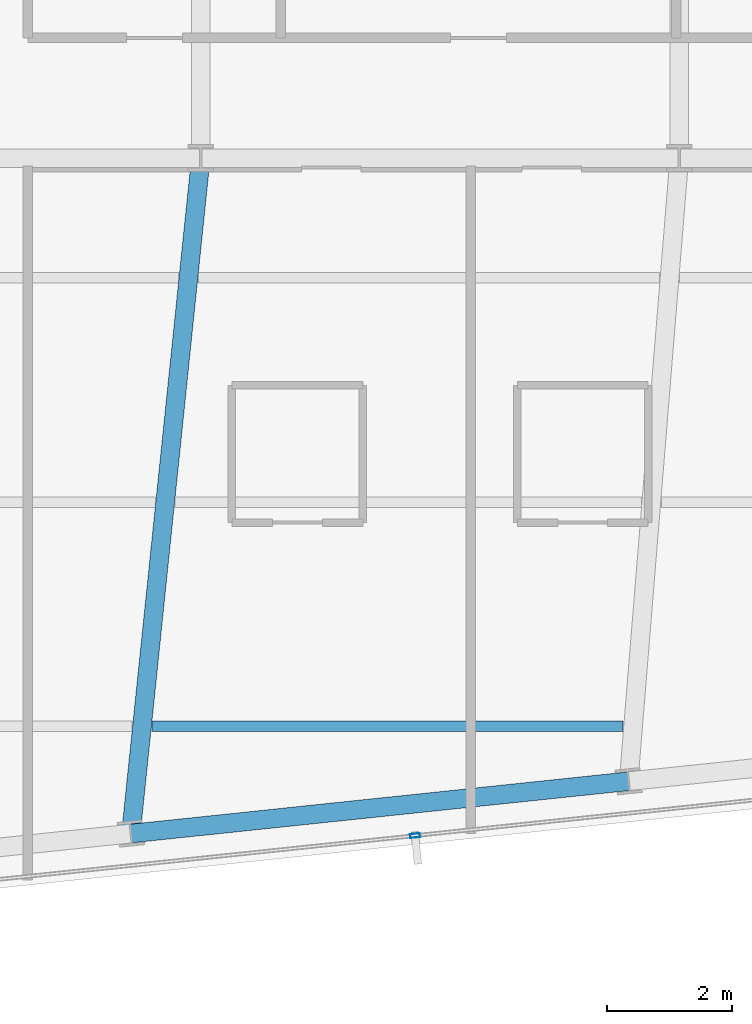
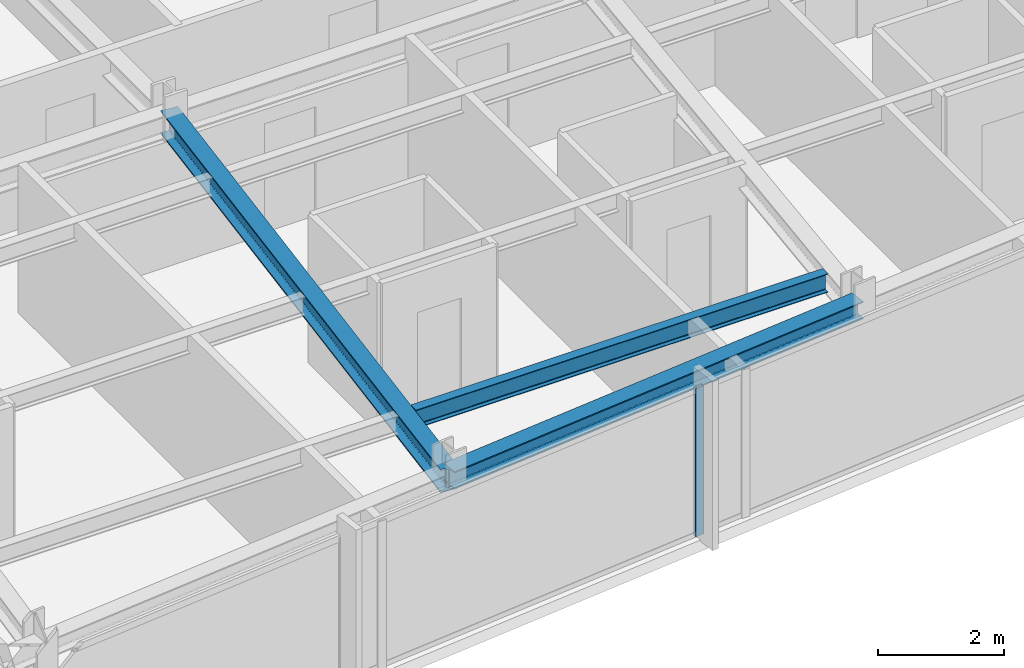
# One storey, part 8 of 33: 3 beams, 1 member, 1 element without a shape of its own.
"""IFC4 building model written with IfcOpenShell, lengths in metres."""

from ifc_helpers import new_model, si_unit, direction, frame, origin, origin_2d, place, context, subcontext, project, spatial, hollow_rectangle, i_section, extrude, material, material_profile, profile_set, type_object, element, aggregate, save


model = new_model("IFC4")

# Units and contexts
model_context = context("Model", 3, precision=1e-05, world=origin(), true_north=direction((0.0, 1.0)))
body_context = subcontext(model_context, "Body", "Model", "MODEL_VIEW")
ifc_project = project(units=[si_unit("LENGTHUNIT", "METRE"), si_unit("AREAUNIT", "SQUARE_METRE"), si_unit("VOLUMEUNIT", "CUBIC_METRE"), si_unit("PLANEANGLEUNIT", "RADIAN"), si_unit("MASSUNIT", "GRAM", prefix="KILO")], contexts=[model_context])

# Site, building, storey
site_placement = place(None, origin())
site = spatial("IfcSite", under=ifc_project, at=site_placement, CompositionType="ELEMENT")
building_placement = place(site_placement, origin())
building = spatial("IfcBuilding", under=site, at=building_placement, Name="Yelkora Congress Tower", CompositionType="ELEMENT")
storey_placement = place(building_placement, frame((0.0, 0.0, 244.10009765625)))
storey = spatial("IfcBuildingStorey", under=building, at=storey_placement, Name="L68", CompositionType="ELEMENT", Elevation=244.10009765625)

# Beams
ifc_material_1 = material(Name="Steel S355J2", Category="steel")
ifc_material_profile_1 = material_profile(ifc_material_1, i_section(OverallWidth=0.300048828125, OverallDepth=0.449951171875, WebThickness=0.013916015625, FlangeThickness=0.02587890625, FilletRadius=0.027099609375, at=origin_2d()), Name="HEB 450")
ifc_profile_set_1 = profile_set([ifc_material_profile_1], Name="Steel S355J2")
beam_type_1 = type_object("IfcBeamType", Name="BM-GIRD-HEB450", PredefinedType="BEAM", material=ifc_profile_set_1)
beam_1_placement = place(storey_placement, frame((37.277587890625, 14.35791015625, 2.65478515625), z_axis=(0.102964870035, 0.99468499312, 0.0), x_axis=(-0.99468499312, 0.102964870035, 0.0)))
element("IfcBeam", 1, at=beam_1_placement, inside=storey, type_object=beam_type_1, Name="L68 Primary Frame Girder S03", PredefinedType="BEAM", context=body_context, shape_type="SweptSolid", body=[
    extrude(i_section(OverallWidth=0.300048828125, OverallDepth=0.449951171875, WebThickness=0.013916015625, FlangeThickness=0.02587890625, FilletRadius=0.027099609375, at=origin_2d()), origin(), (0.0, 0.0, 1.0), 10.89990234375),
])
ifc_material_profile_2 = material_profile(ifc_material_1, i_section(OverallWidth=0.169921875, OverallDepth=0.360107421875, WebThickness=0.008056640625, FlangeThickness=0.0126953125, FilletRadius=0.01806640625, at=origin_2d()), Name="IPE 360")
ifc_profile_set_2 = profile_set([ifc_material_profile_2], Name="Steel S355J2")
beam_type_2 = type_object("IfcBeamType", Name="BM-JOIST-IPE360", PredefinedType="JOIST", material=ifc_profile_set_2)
beam_2_placement = place(storey_placement, frame((37.61572265625, 16.07861328125, 2.699951171875), z_axis=(1.0, 0.0, 0.0), x_axis=(0.0, 1.0, 0.0)))
element("IfcBeam", 2, at=beam_2_placement, inside=storey, type_object=beam_type_2, Name="L68 Composite Floor Joist 2", PredefinedType="JOIST", context=body_context, shape_type="SweptSolid", body=[
    extrude(i_section(OverallWidth=0.169921875, OverallDepth=0.360107421875, WebThickness=0.008056640625, FlangeThickness=0.0126953125, FilletRadius=0.01806640625, at=origin_2d()), origin(), (0.0, 0.0, 1.0), 7.56298828125),
])
ifc_material_profile_3 = material_profile(ifc_material_1, i_section(OverallWidth=0.300048828125, OverallDepth=0.340087890625, WebThickness=0.011962890625, FlangeThickness=0.021484375, FilletRadius=0.027099609375, at=origin_2d()), Name="HEB 340")
ifc_profile_set_3 = profile_set([ifc_material_profile_3], Name="Steel S355J2")
beam_type_3 = type_object("IfcBeamType", Name="BM-SPAN-HEB340", PredefinedType="SPANDREL", material=ifc_profile_set_3)
beam_3_placement = place(storey_placement, frame((37.277587890625, 14.35791015625, 2.7099609375), z_axis=(0.99452358891, 0.104512349038, 0.0), x_axis=(-0.104512349038, 0.99452358891, 0.0)))
element("IfcBeam", 3, at=beam_3_placement, inside=storey, type_object=beam_type_3, Name="L68 Perimeter Beam 5", PredefinedType="SPANDREL", context=body_context, shape_type="SweptSolid", body=[
    extrude(i_section(OverallWidth=0.300048828125, OverallDepth=0.340087890625, WebThickness=0.011962890625, FlangeThickness=0.021484375, FilletRadius=0.027099609375, at=origin_2d()), origin(), (0.0, 0.0, 1.0), 8.033447265625),
])

# Curtain wall, member
ifc_material_2 = material(Name="Anodised aluminium and insulated glass", Category="aluminium")
curtain_wall_type = type_object("IfcCurtainWallType", Name="CW-SYS-B4", PredefinedType="NOTDEFINED", material=ifc_material_2)
curtain_wall_placement = place(storey_placement, origin())
curtain_wall = element("IfcCurtainWall", 4, at=curtain_wall_placement, inside=storey, type_object=curtain_wall_type, Name="L68 Unitised Curtain Wall 20", PredefinedType="NOTDEFINED")
ifc_material_3 = material(Name="Anodised aluminium 6063-T6", Category="aluminium")
ifc_material_profile_4 = material_profile(ifc_material_3, hollow_rectangle(XDim=0.06494140625, YDim=0.159912109375, WallThickness=0.00390625, at=origin_2d()), Name="ALU 65x160x4")
ifc_profile_set_4 = profile_set([ifc_material_profile_4], Name="Anodised aluminium 6063-T6")
member_type = type_object("IfcMemberType", Name="MEM-ML-B4", PredefinedType="MULLION", material=ifc_profile_set_4)
member_placement = place(storey_placement, frame((41.838134765625, 14.324462890625, 0.0), z_axis=(0.0, 0.0, 1.0), x_axis=(0.104526664994, -0.994522084373, 0.0)))
member = element("IfcMember", 5, at=member_placement, type_object=member_type, Name="CW-B4 mullion 5", PredefinedType="MULLION", context=body_context, shape_type="SweptSolid", body=[
    extrude(hollow_rectangle(XDim=0.06494140625, YDim=0.159912109375, WallThickness=0.00390625, at=origin_2d()), origin(), (0.0, 0.0, 1.0), 2.8798828125),
])
aggregate(curtain_wall, [member])

save(model, "model.ifc")
